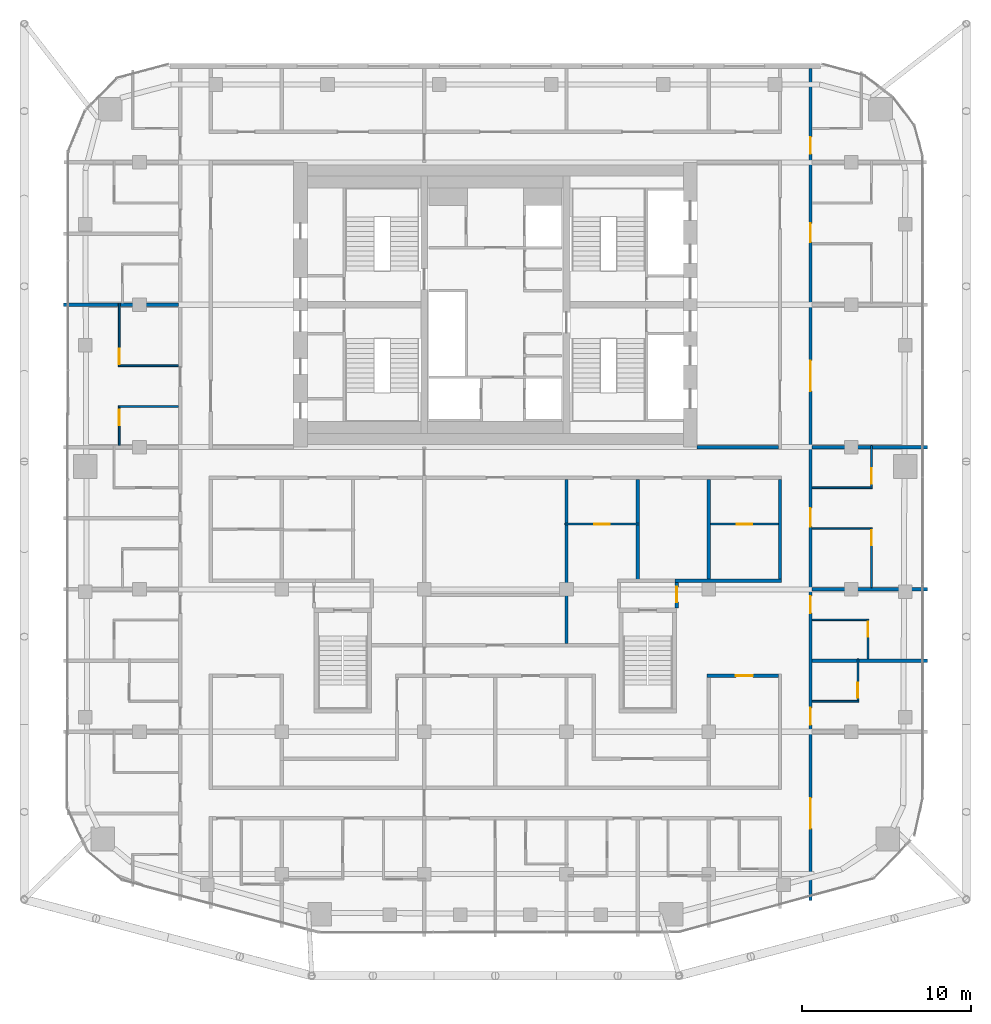
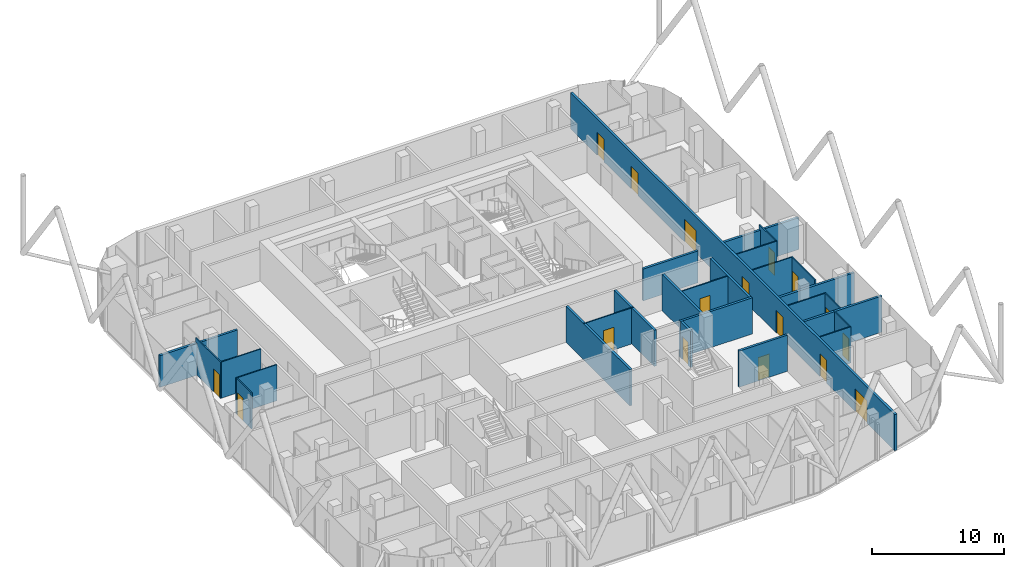
# One storey, part 23 of 28: 27 walls, 17 doors, 17 openings.
"""IFC4 building model written with IfcOpenShell, lengths in metres."""

from ifc_helpers import new_model, si_unit, direction, frame, frame_2d, origin, place, context, subcontext, project, spatial, rectangle, extrude, material, layer, layer_set, type_object, element, fill, save


model = new_model("IFC4")

# Units and contexts
model_context = context("Model", 3, precision=1e-05, world=origin(), true_north=direction((0.0, 1.0)))
body_context = subcontext(model_context, "Body", "Model", "MODEL_VIEW")
ifc_project = project(units=[si_unit("LENGTHUNIT", "METRE"), si_unit("AREAUNIT", "SQUARE_METRE"), si_unit("VOLUMEUNIT", "CUBIC_METRE"), si_unit("PLANEANGLEUNIT", "RADIAN"), si_unit("MASSUNIT", "GRAM", prefix="KILO")], contexts=[model_context])

# Site, building, storey
site_placement = place(None, origin())
site = spatial("IfcSite", under=ifc_project, at=site_placement, CompositionType="ELEMENT")
building_placement = place(site_placement, origin())
building = spatial("IfcBuilding", under=site, at=building_placement, Name="Marenta Gate Hotel Tower", CompositionType="ELEMENT")
storey_placement = place(building_placement, frame((0.0, 0.0, 227.300048828125)))
storey = spatial("IfcBuildingStorey", under=building, at=storey_placement, Name="L53", CompositionType="ELEMENT", Elevation=227.300048828125)

# Walls
ifc_material_1 = material(Name="Concrete blockwork", Category="masonry")
ifc_layer_1 = layer(ifc_material_1, 0.199951171875)
ifc_layer_set_1 = layer_set([ifc_layer_1], Name="Concrete blockwork")
wall_type_1 = type_object("IfcWallType", Name="Core boundary wall 200 REI 180", PredefinedType="PARTITIONING", material=ifc_layer_set_1)
wall_1_placement = place(storey_placement, frame((11.89990234375, 0.0, 0.0), z_axis=(0.0, 0.0, 1.0), x_axis=(1.0, 0.0, 0.0)))
element("IfcWall", 1, at=wall_1_placement, inside=storey, type_object=wall_type_1, Name="L53-CP-EW-ES", PredefinedType="PARTITIONING", context=body_context, shape_type="SweptSolid", body=[
    extrude(rectangle(XDim=4.800048828125, YDim=0.199951171875, at=frame_2d((2.39990234375, 0.0))), origin(), (0.0, 0.0, 1.0), 2.93994140625),
])
ifc_material_2 = material(Name="Concrete blockwork", Category="masonry")
ifc_layer_2 = layer(ifc_material_2, 0.199951171875)
ifc_layer_set_2 = layer_set([ifc_layer_2], Name="Concrete blockwork")
wall_type_2 = type_object("IfcWallType", Name="Room corridor wall 200 EI 120", PredefinedType="PARTITIONING", material=ifc_layer_set_2)
wall_2_placement = place(storey_placement, frame((16.800048828125, -7.800048828125, 0.0), z_axis=(0.0, 0.0, 1.0), x_axis=(0.0, 1.0, 0.0)))
element("IfcWall", 2, at=wall_2_placement, inside=storey, type_object=wall_type_2, Name="L53-PTN-W026", PredefinedType="PARTITIONING", context=body_context, shape_type="SweptSolid", body=[
    extrude(rectangle(XDim=5.900146484375, YDim=0.199951171875, at=frame_2d((2.9501953125, 0.0))), origin(), (0.0, 0.0, 1.0), 3.33984375),
])
wall_3_placement = place(storey_placement, frame((10.60009765625, -7.89990234375, 0.0), z_axis=(0.0, 0.0, 1.0), x_axis=(1.0, 0.0, 0.0)))
element("IfcWall", 3, at=wall_3_placement, inside=storey, type_object=wall_type_2, Name="L53-PTN-W054", PredefinedType="PARTITIONING", context=body_context, shape_type="SweptSolid", body=[
    extrude(rectangle(XDim=6.2998046875, YDim=0.199951171875, at=frame_2d((3.14990234375, 0.0))), origin(), (0.0, 0.0, 1.0), 3.33984375),
])

# Wall, openings, doors
ifc_material_3 = material(Name="Gypsum board on steel stud", Category="steel")
ifc_layer_3 = layer(ifc_material_3, 0.199951171875)
ifc_layer_set_3 = layer_set([ifc_layer_3], Name="Gypsum board on steel stud")
wall_type_3 = type_object("IfcWallType", Name="Room corridor wall 200 EI 60", PredefinedType="PARTITIONING", material=ifc_layer_set_3)
wall_4_placement = place(storey_placement, frame((18.60009765625, -26.7509765625, 0.0), z_axis=(0.0, 0.0, 1.0), x_axis=(0.0, 1.0, 0.0)))
wall_4 = element("IfcWall", 4, at=wall_4_placement, inside=storey, type_object=wall_type_3, Name="L53-PTN-W021", PredefinedType="PARTITIONING", context=body_context, shape_type="SweptSolid", body=[
    extrude(rectangle(XDim=49.091064453125, YDim=0.199951171875, at=frame_2d((24.54541015625, 0.0))), origin(), (0.0, 0.0, 1.0), 3.33984375),
])
opening_1_placement = place(wall_4_placement, frame((4.22607421875, 0.0, 0.0)))
opening_1 = element("IfcOpeningElement", 5, at=opening_1_placement, cuts=wall_4, Name="Opening G19-17", PredefinedType="OPENING", context=body_context, shape_type="SweptSolid", body=[
    extrude(rectangle(XDim=1.800048828125, YDim=2.10009765625, at=frame_2d((0.89990234375, 1.050048828125))), frame((0.0, 0.10009765625, 0.0), z_axis=(0.0, -1.0, 0.0), x_axis=(1.0, 0.0, 0.0)), (0.0, 0.0, 1.0), 0.199951171875),
])
opening_2_placement = place(wall_4_placement, frame((10.35107421875, 0.0, 0.0)))
opening_2 = element("IfcOpeningElement", 6, at=opening_2_placement, cuts=wall_4, Name="Opening G19-18", PredefinedType="OPENING", context=body_context, shape_type="SweptSolid", body=[
    extrude(rectangle(XDim=1.0, YDim=2.10009765625, at=frame_2d((0.5, 1.050048828125))), frame((0.0, 0.10009765625, 0.0), z_axis=(0.0, -1.0, 0.0), x_axis=(1.0, 0.0, 0.0)), (0.0, 0.0, 1.0), 0.199951171875),
])
opening_3_placement = place(wall_4_placement, frame((16.950927734375, 0.0, 0.0)))
opening_3 = element("IfcOpeningElement", 7, at=opening_3_placement, cuts=wall_4, Name="Opening G19-20", PredefinedType="OPENING", context=body_context, shape_type="SweptSolid", body=[
    extrude(rectangle(XDim=1.0, YDim=2.10009765625, at=frame_2d((0.5, 1.050048828125))), frame((0.0, 0.10009765625, 0.0), z_axis=(0.0, -1.0, 0.0), x_axis=(1.0, 0.0, 0.0)), (0.0, 0.0, 1.0), 0.199951171875),
])
opening_4_placement = place(wall_4_placement, frame((22.051025390625, 0.0, 0.0)))
opening_4 = element("IfcOpeningElement", 8, at=opening_4_placement, cuts=wall_4, Name="Opening G19-22", PredefinedType="OPENING", context=body_context, shape_type="SweptSolid", body=[
    extrude(rectangle(XDim=1.10009765625, YDim=2.10009765625, at=frame_2d((0.550048828125, 1.050048828125))), frame((0.0, 0.10009765625, 0.0), z_axis=(0.0, -1.0, 0.0), x_axis=(1.0, 0.0, 0.0)), (0.0, 0.0, 1.0), 0.199951171875),
])
opening_5_placement = place(wall_4_placement, frame((30.051025390625, 0.0, 0.0)))
opening_5 = element("IfcOpeningElement", 9, at=opening_5_placement, cuts=wall_4, Name="Opening G19-25", PredefinedType="OPENING", context=body_context, shape_type="SweptSolid", body=[
    extrude(rectangle(XDim=1.800048828125, YDim=2.10009765625, at=frame_2d((0.89990234375, 1.050048828125))), frame((0.0, 0.10009765625, 0.0), z_axis=(0.0, -1.0, 0.0), x_axis=(1.0, 0.0, 0.0)), (0.0, 0.0, 1.0), 0.199951171875),
])
opening_6_placement = place(wall_4_placement, frame((38.85107421875, 0.0, 0.0)))
opening_6 = element("IfcOpeningElement", 10, at=opening_6_placement, cuts=wall_4, Name="Opening G19-26", PredefinedType="OPENING", context=body_context, shape_type="SweptSolid", body=[
    extrude(rectangle(XDim=1.10009765625, YDim=2.10009765625, at=frame_2d((0.550048828125, 1.050048828125))), frame((0.0, 0.10009765625, 0.0), z_axis=(0.0, -1.0, 0.0), x_axis=(1.0, 0.0, 0.0)), (0.0, 0.0, 1.0), 0.199951171875),
])
opening_7_placement = place(wall_4_placement, frame((44.051025390625, 0.0, 0.0)))
opening_7 = element("IfcOpeningElement", 11, at=opening_7_placement, cuts=wall_4, Name="Opening G19-29", PredefinedType="OPENING", context=body_context, shape_type="SweptSolid", body=[
    extrude(rectangle(XDim=1.0, YDim=2.10009765625, at=frame_2d((0.5, 1.050048828125))), frame((0.0, 0.10009765625, 0.0), z_axis=(0.0, -1.0, 0.0), x_axis=(1.0, 0.0, 0.0)), (0.0, 0.0, 1.0), 0.199951171875),
])
ifc_material_4 = material(Name="Timber door leaf", Category="wood")
door_type_1 = type_object("IfcDoorType", Name="Guest room door 1000x2100 EI 30", OperationType="NOTDEFINED", PredefinedType="DOOR", material=ifc_material_4)
door_1_placement = place(opening_2_placement, origin())
door_1 = element("IfcDoor", 12, at=door_1_placement, inside=storey, type_object=door_type_1, Name="L53-PD-D018", OperationType="SINGLE_SWING_RIGHT", OverallHeight=2.10009765625, OverallWidth=1.0, PredefinedType="DOOR", context=body_context, shape_type="SweptSolid", body=[
    extrude(rectangle(XDim=1.0, YDim=2.10009765625, at=frame_2d((0.5, 1.050048828125))), frame((0.0, 0.02490234375, 0.0), z_axis=(0.0, -1.0, 0.0), x_axis=(1.0, 0.0, 0.0)), (0.0, 0.0, 1.0), 0.050048828125),
])
fill(opening_2, door_1)
door_2_placement = place(opening_3_placement, origin())
door_2 = element("IfcDoor", 13, at=door_2_placement, inside=storey, type_object=door_type_1, Name="L53-PD-D020", OperationType="SINGLE_SWING_RIGHT", OverallHeight=2.10009765625, OverallWidth=1.0, PredefinedType="DOOR", context=body_context, shape_type="SweptSolid", body=[
    extrude(rectangle(XDim=1.0, YDim=2.10009765625, at=frame_2d((0.5, 1.050048828125))), frame((0.0, 0.02490234375, 0.0), z_axis=(0.0, -1.0, 0.0), x_axis=(1.0, 0.0, 0.0)), (0.0, 0.0, 1.0), 0.050048828125),
])
fill(opening_3, door_2)
door_3_placement = place(opening_7_placement, origin())
door_3 = element("IfcDoor", 14, at=door_3_placement, inside=storey, type_object=door_type_1, Name="L53-PD-D029", OperationType="SINGLE_SWING_LEFT", OverallHeight=2.10009765625, OverallWidth=1.0, PredefinedType="DOOR", context=body_context, shape_type="SweptSolid", body=[
    extrude(rectangle(XDim=1.0, YDim=2.10009765625, at=frame_2d((0.5, 1.050048828125))), frame((0.0, 0.02490234375, 0.0), z_axis=(0.0, -1.0, 0.0), x_axis=(1.0, 0.0, 0.0)), (0.0, 0.0, 1.0), 0.050048828125),
])
fill(opening_7, door_3)
ifc_material_5 = material(Name="Timber door leaf", Category="wood")
door_type_2 = type_object("IfcDoorType", Name="Guest room door 1100x2100 EI 30", OperationType="NOTDEFINED", PredefinedType="DOOR", material=ifc_material_5)
door_4_placement = place(opening_4_placement, origin())
door_4 = element("IfcDoor", 15, at=door_4_placement, inside=storey, type_object=door_type_2, Name="L53-PD-D022", OperationType="SINGLE_SWING_RIGHT", OverallHeight=2.10009765625, OverallWidth=1.10009765625, PredefinedType="DOOR", context=body_context, shape_type="SweptSolid", body=[
    extrude(rectangle(XDim=1.10009765625, YDim=2.10009765625, at=frame_2d((0.550048828125, 1.050048828125))), frame((0.0, 0.02490234375, 0.0), z_axis=(0.0, -1.0, 0.0), x_axis=(1.0, 0.0, 0.0)), (0.0, 0.0, 1.0), 0.050048828125),
])
fill(opening_4, door_4)
door_5_placement = place(opening_6_placement, origin())
door_5 = element("IfcDoor", 16, at=door_5_placement, inside=storey, type_object=door_type_2, Name="L53-PD-D026", OperationType="SINGLE_SWING_RIGHT", OverallHeight=2.10009765625, OverallWidth=1.10009765625, PredefinedType="DOOR", context=body_context, shape_type="SweptSolid", body=[
    extrude(rectangle(XDim=1.10009765625, YDim=2.10009765625, at=frame_2d((0.550048828125, 1.050048828125))), frame((0.0, 0.02490234375, 0.0), z_axis=(0.0, -1.0, 0.0), x_axis=(1.0, 0.0, 0.0)), (0.0, 0.0, 1.0), 0.050048828125),
])
fill(opening_6, door_5)
ifc_material_6 = material(Name="Timber door leaf", Category="wood")
door_type_3 = type_object("IfcDoorType", Name="Room amenity door 1800x2100 EI 30", OperationType="DOUBLE_DOOR_SINGLE_SWING", PredefinedType="DOOR", material=ifc_material_6)
door_6_placement = place(opening_1_placement, origin())
door_6 = element("IfcDoor", 17, at=door_6_placement, inside=storey, type_object=door_type_3, Name="L53-PD-D017", OperationType="DOUBLE_DOOR_SINGLE_SWING", OverallHeight=2.10009765625, OverallWidth=1.800048828125, PredefinedType="DOOR", context=body_context, shape_type="SweptSolid", body=[
    extrude(rectangle(XDim=1.800048828125, YDim=2.10009765625, at=frame_2d((0.89990234375, 1.050048828125))), frame((0.0, 0.02490234375, 0.0), z_axis=(0.0, -1.0, 0.0), x_axis=(1.0, 0.0, 0.0)), (0.0, 0.0, 1.0), 0.050048828125),
])
fill(opening_1, door_6)
door_7_placement = place(opening_5_placement, origin())
door_7 = element("IfcDoor", 18, at=door_7_placement, inside=storey, type_object=door_type_3, Name="L53-PD-D025", OperationType="DOUBLE_DOOR_SINGLE_SWING", OverallHeight=2.10009765625, OverallWidth=1.800048828125, PredefinedType="DOOR", context=body_context, shape_type="SweptSolid", body=[
    extrude(rectangle(XDim=1.800048828125, YDim=2.10009765625, at=frame_2d((0.89990234375, 1.050048828125))), frame((0.0, 0.02490234375, 0.0), z_axis=(0.0, -1.0, 0.0), x_axis=(1.0, 0.0, 0.0)), (0.0, 0.0, 1.0), 0.050048828125),
])
fill(opening_5, door_7)

# Wall, opening, door
wall_5_placement = place(storey_placement, frame((12.5, -13.5, 0.0), z_axis=(0.0, 0.0, 1.0), x_axis=(1.0, 0.0, 0.0)))
wall_5 = element("IfcWall", 19, at=wall_5_placement, inside=storey, type_object=wall_type_3, Name="L53-PTN-W035", PredefinedType="PARTITIONING", context=body_context, shape_type="SweptSolid", body=[
    extrude(rectangle(XDim=4.199951171875, YDim=0.199951171875, at=frame_2d((2.10009765625, 0.0))), origin(), (0.0, 0.0, 1.0), 3.33984375),
])
opening_8_placement = place(wall_5_placement, frame((1.699951171875, 0.0, 0.0)))
opening_8 = element("IfcOpeningElement", 20, at=opening_8_placement, cuts=wall_5, Name="Opening G19-16", PredefinedType="OPENING", context=body_context, shape_type="SweptSolid", body=[
    extrude(rectangle(XDim=1.0, YDim=2.10009765625, at=frame_2d((0.5, 1.050048828125))), frame((0.0, 0.10009765625, 0.0), z_axis=(0.0, -1.0, 0.0), x_axis=(1.0, 0.0, 0.0)), (0.0, 0.0, 1.0), 0.199951171875),
])
ifc_material_7 = material(Name="Timber door leaf", Category="wood")
door_type_4 = type_object("IfcDoorType", Name="Room amenity door 1000x2100 EI 30", OperationType="NOTDEFINED", PredefinedType="DOOR", material=ifc_material_7)
door_8_placement = place(opening_8_placement, origin())
door_8 = element("IfcDoor", 21, at=door_8_placement, inside=storey, type_object=door_type_4, Name="L53-PD-D016", OperationType="SINGLE_SWING_RIGHT", OverallHeight=2.10009765625, OverallWidth=1.0, PredefinedType="DOOR", context=body_context, shape_type="SweptSolid", body=[
    extrude(rectangle(XDim=1.0, YDim=2.10009765625, at=frame_2d((0.5, 1.050048828125))), frame((0.0, 0.02490234375, 0.0), z_axis=(0.0, -1.0, 0.0), x_axis=(1.0, 0.0, 0.0)), (0.0, 0.0, 1.0), 0.050048828125),
])
fill(opening_8, door_8)

ifc_material_8 = material(Name="Concrete blockwork", Category="masonry")
ifc_layer_4 = layer(ifc_material_8, 0.199951171875)
ifc_layer_set_4 = layer_set([ifc_layer_4], Name="Concrete blockwork")
wall_type_4 = type_object("IfcWallType", Name="Room corridor wall 200 REI 180", PredefinedType="PARTITIONING", material=ifc_layer_set_4)
wall_6_placement = place(storey_placement, frame((10.699951171875, -9.5, 0.0), z_axis=(0.0, 0.0, 1.0), x_axis=(0.0, 1.0, 0.0)))
wall_6 = element("IfcWall", 22, at=wall_6_placement, inside=storey, type_object=wall_type_4, Name="L53-PTN-W044", PredefinedType="PARTITIONING", context=body_context, shape_type="SweptSolid", body=[
    extrude(rectangle(XDim=1.5, YDim=0.199951171875, at=frame_2d((0.75, 0.0))), origin(), (0.0, 0.0, 1.0), 3.33984375),
])
opening_9_placement = place(wall_6_placement, frame((0.35009765625, 0.0, 0.0)))
opening_9 = element("IfcOpeningElement", 23, at=opening_9_placement, cuts=wall_6, Name="Opening G19-72", PredefinedType="OPENING", context=body_context, shape_type="SweptSolid", body=[
    extrude(rectangle(XDim=0.89990234375, YDim=2.10009765625, at=frame_2d((0.449951171875, 1.050048828125))), frame((0.0, 0.10009765625, 0.0), z_axis=(0.0, -1.0, 0.0), x_axis=(1.0, 0.0, 0.0)), (0.0, 0.0, 1.0), 0.199951171875),
])
ifc_material_9 = material(Name="Hollow steel door set", Category="steel")
door_type_5 = type_object("IfcDoorType", Name="Stair vestibule door 900x2100 EI 60", OperationType="NOTDEFINED", PredefinedType="DOOR", material=ifc_material_9)
door_9_placement = place(opening_9_placement, origin())
door_9 = element("IfcDoor", 24, at=door_9_placement, inside=storey, type_object=door_type_5, Name="L53-PD-D072", OperationType="SINGLE_SWING_RIGHT", OverallHeight=2.10009765625, OverallWidth=0.89990234375, PredefinedType="DOOR", context=body_context, shape_type="SweptSolid", body=[
    extrude(rectangle(XDim=0.89990234375, YDim=2.10009765625, at=frame_2d((0.449951171875, 1.050048828125))), frame((0.0, 0.02490234375, 0.0), z_axis=(0.0, -1.0, 0.0), x_axis=(1.0, 0.0, 0.0)), (0.0, 0.0, 1.0), 0.050048828125),
])
fill(opening_9, door_9)

ifc_material_10 = material(Name="Gypsum board on steel stud", Category="steel")
ifc_layer_5 = layer(ifc_material_10, 0.10009765625)
ifc_layer_set_5 = layer_set([ifc_layer_5], Name="Gypsum board on steel stud")
wall_type_5 = type_object("IfcWallType", Name="Room partition 100", PredefinedType="PARTITIONING", material=ifc_layer_set_5)
wall_7_placement = place(storey_placement, frame((22.199951171875, -8.300048828125, 0.0), z_axis=(0.0, 0.0, 1.0), x_axis=(0.0, 1.0, 0.0)))
wall_7 = element("IfcWall", 25, at=wall_7_placement, inside=storey, type_object=wall_type_5, Name="L53-PTN-W010", PredefinedType="PARTITIONING", context=body_context, shape_type="SweptSolid", body=[
    extrude(rectangle(XDim=3.550048828125, YDim=0.10009765625, at=frame_2d((1.77490234375, 0.0))), origin(), (0.0, 0.0, 1.0), 3.33984375),
])
opening_10_placement = place(wall_7_placement, frame((2.5, 0.0, 0.0)))
opening_10 = element("IfcOpeningElement", 26, at=opening_10_placement, cuts=wall_7, Name="Opening G19-23", PredefinedType="OPENING", context=body_context, shape_type="SweptSolid", body=[
    extrude(rectangle(XDim=0.89990234375, YDim=2.10009765625, at=frame_2d((0.449951171875, 1.050048828125))), frame((0.0, 0.050048828125, 0.0), z_axis=(0.0, -1.0, 0.0), x_axis=(1.0, 0.0, 0.0)), (0.0, 0.0, 1.0), 0.10009765625),
])
ifc_material_11 = material(Name="Timber door leaf", Category="wood")
door_type_6 = type_object("IfcDoorType", Name="Guest bathroom door 900x2100", OperationType="NOTDEFINED", PredefinedType="DOOR", material=ifc_material_11)
door_10_placement = place(opening_10_placement, origin())
door_10 = element("IfcDoor", 27, at=door_10_placement, inside=storey, type_object=door_type_6, Name="L53-PD-D023", OperationType="SINGLE_SWING_RIGHT", OverallHeight=2.10009765625, OverallWidth=0.89990234375, PredefinedType="DOOR", context=body_context, shape_type="SweptSolid", body=[
    extrude(rectangle(XDim=0.89990234375, YDim=2.10009765625, at=frame_2d((0.449951171875, 1.050048828125))), frame((0.0, 0.02490234375, 0.0), z_axis=(0.0, -1.0, 0.0), x_axis=(1.0, 0.0, 0.0)), (0.0, 0.0, 1.0), 0.050048828125),
])
fill(opening_10, door_10)

wall_8_placement = place(storey_placement, frame((22.199951171875, -2.35009765625, 0.0), z_axis=(0.0, 0.0, 1.0), x_axis=(0.0, 1.0, 0.0)))
wall_8 = element("IfcWall", 28, at=wall_8_placement, inside=storey, type_object=wall_type_5, Name="L53-PTN-W011", PredefinedType="PARTITIONING", context=body_context, shape_type="SweptSolid", body=[
    extrude(rectangle(XDim=2.4501953125, YDim=0.10009765625, at=frame_2d((1.22509765625, 0.0))), origin(), (0.0, 0.0, 1.0), 3.33984375),
])
opening_11_placement = place(wall_8_placement, frame((0.199951171875, 0.0, 0.0)))
opening_11 = element("IfcOpeningElement", 29, at=opening_11_placement, cuts=wall_8, Name="Opening G19-24", PredefinedType="OPENING", context=body_context, shape_type="SweptSolid", body=[
    extrude(rectangle(XDim=0.89990234375, YDim=2.10009765625, at=frame_2d((0.449951171875, 1.050048828125))), frame((0.0, 0.050048828125, 0.0), z_axis=(0.0, -1.0, 0.0), x_axis=(1.0, 0.0, 0.0)), (0.0, 0.0, 1.0), 0.10009765625),
])
ifc_material_12 = material(Name="Timber door leaf", Category="wood")
door_type_7 = type_object("IfcDoorType", Name="Room inner door 900x2100", OperationType="NOTDEFINED", PredefinedType="DOOR", material=ifc_material_12)
door_11_placement = place(opening_11_placement, origin())
door_11 = element("IfcDoor", 30, at=door_11_placement, inside=storey, type_object=door_type_7, Name="L53-PD-D024", OperationType="SINGLE_SWING_LEFT", OverallHeight=2.10009765625, OverallWidth=0.89990234375, PredefinedType="DOOR", context=body_context, shape_type="SweptSolid", body=[
    extrude(rectangle(XDim=0.89990234375, YDim=2.10009765625, at=frame_2d((0.449951171875, 1.050048828125))), frame((0.0, 0.02490234375, 0.0), z_axis=(0.0, -1.0, 0.0), x_axis=(1.0, 0.0, 0.0)), (0.0, 0.0, 1.0), 0.050048828125),
])
fill(opening_11, door_11)

wall_9_placement = place(storey_placement, frame((22.0, -12.5, 0.0), z_axis=(0.0, 0.0, 1.0), x_axis=(0.0, 1.0, 0.0)))
wall_9 = element("IfcWall", 31, at=wall_9_placement, inside=storey, type_object=wall_type_5, Name="L53-PTN-W014", PredefinedType="PARTITIONING", context=body_context, shape_type="SweptSolid", body=[
    extrude(rectangle(XDim=2.35009765625, YDim=0.10009765625, at=frame_2d((1.175048828125, 0.0))), origin(), (0.0, 0.0, 1.0), 3.33984375),
])
opening_12_placement = place(wall_9_placement, frame((1.300048828125, 0.0, 0.0)))
opening_12 = element("IfcOpeningElement", 32, at=opening_12_placement, cuts=wall_9, Name="Opening G19-21", PredefinedType="OPENING", context=body_context, shape_type="SweptSolid", body=[
    extrude(rectangle(XDim=0.89990234375, YDim=2.10009765625, at=frame_2d((0.449951171875, 1.050048828125))), frame((0.0, 0.050048828125, 0.0), z_axis=(0.0, -1.0, 0.0), x_axis=(1.0, 0.0, 0.0)), (0.0, 0.0, 1.0), 0.10009765625),
])
door_12_placement = place(opening_12_placement, origin())
door_12 = element("IfcDoor", 33, at=door_12_placement, inside=storey, type_object=door_type_6, Name="L53-PD-D021", OperationType="SINGLE_SWING_RIGHT", OverallHeight=2.10009765625, OverallWidth=0.89990234375, PredefinedType="DOOR", context=body_context, shape_type="SweptSolid", body=[
    extrude(rectangle(XDim=0.89990234375, YDim=2.10009765625, at=frame_2d((0.449951171875, 1.050048828125))), frame((0.0, 0.02490234375, 0.0), z_axis=(0.0, -1.0, 0.0), x_axis=(1.0, 0.0, 0.0)), (0.0, 0.0, 1.0), 0.050048828125),
])
fill(opening_12, door_12)

wall_10_placement = place(storey_placement, frame((21.39990234375, -14.949951171875, 0.0), z_axis=(0.0, 0.0, 1.0), x_axis=(0.0, 1.0, 0.0)))
wall_10 = element("IfcWall", 34, at=wall_10_placement, inside=storey, type_object=wall_type_5, Name="L53-PTN-W018", PredefinedType="PARTITIONING", context=body_context, shape_type="SweptSolid", body=[
    extrude(rectangle(XDim=2.449951171875, YDim=0.10009765625, at=frame_2d((1.22509765625, 0.0))), origin(), (0.0, 0.0, 1.0), 3.33984375),
])
opening_13_placement = place(wall_10_placement, frame((0.14990234375, 0.0, 0.0)))
opening_13 = element("IfcOpeningElement", 35, at=opening_13_placement, cuts=wall_10, Name="Opening G19-19", PredefinedType="OPENING", context=body_context, shape_type="SweptSolid", body=[
    extrude(rectangle(XDim=0.89990234375, YDim=2.10009765625, at=frame_2d((0.449951171875, 1.050048828125))), frame((0.0, 0.050048828125, 0.0), z_axis=(0.0, -1.0, 0.0), x_axis=(1.0, 0.0, 0.0)), (0.0, 0.0, 1.0), 0.10009765625),
])
door_13_placement = place(opening_13_placement, origin())
door_13 = element("IfcDoor", 36, at=door_13_placement, inside=storey, type_object=door_type_6, Name="L53-PD-D019", OperationType="SINGLE_SWING_LEFT", OverallHeight=2.10009765625, OverallWidth=0.89990234375, PredefinedType="DOOR", context=body_context, shape_type="SweptSolid", body=[
    extrude(rectangle(XDim=0.89990234375, YDim=2.10009765625, at=frame_2d((0.449951171875, 1.050048828125))), frame((0.0, 0.02490234375, 0.0), z_axis=(0.0, -1.0, 0.0), x_axis=(1.0, 0.0, 0.0)), (0.0, 0.0, 1.0), 0.050048828125),
])
fill(opening_13, door_13)

# Walls
wall_11_placement = place(storey_placement, frame((18.699951171875, -15.0, 0.0), z_axis=(0.0, 0.0, 1.0), x_axis=(1.0, 0.0, 0.0)))
element("IfcWall", 37, at=wall_11_placement, inside=storey, type_object=wall_type_5, Name="L53-PTN-W031", PredefinedType="PARTITIONING", context=body_context, shape_type="SweptSolid", body=[
    extrude(rectangle(XDim=2.75, YDim=0.10009765625, at=frame_2d((1.375, 0.0))), origin(), (0.0, 0.0, 1.0), 3.33984375),
])
wall_12_placement = place(storey_placement, frame((18.699951171875, -10.199951171875, 0.0), z_axis=(0.0, 0.0, 1.0), x_axis=(1.0, 0.0, 0.0)))
element("IfcWall", 38, at=wall_12_placement, inside=storey, type_object=wall_type_5, Name="L53-PTN-W047", PredefinedType="PARTITIONING", context=body_context, shape_type="SweptSolid", body=[
    extrude(rectangle(XDim=3.25, YDim=0.10009765625, at=frame_2d((1.625, 0.0))), origin(), (0.0, 0.0, 1.0), 3.33984375),
])
wall_13_placement = place(storey_placement, frame((18.699951171875, -4.800048828125, 0.0), z_axis=(0.0, 0.0, 1.0), x_axis=(1.0, 0.0, 0.0)))
element("IfcWall", 39, at=wall_13_placement, inside=storey, type_object=wall_type_5, Name="L53-PTN-W063", PredefinedType="PARTITIONING", context=body_context, shape_type="SweptSolid", body=[
    extrude(rectangle(XDim=3.449951171875, YDim=0.10009765625, at=frame_2d((1.72509765625, 0.0))), origin(), (0.0, 0.0, 1.0), 3.33984375),
])

# Wall, opening, door
wall_14_placement = place(storey_placement, frame((4.10009765625, -4.544921875, 0.0), z_axis=(0.0, 0.0, 1.0), x_axis=(1.0, 0.0, 0.0)))
wall_14 = element("IfcWall", 40, at=wall_14_placement, inside=storey, type_object=wall_type_5, Name="L53-PTN-W064", PredefinedType="PARTITIONING", context=body_context, shape_type="SweptSolid", body=[
    extrude(rectangle(XDim=4.39990234375, YDim=0.10009765625, at=frame_2d((2.199951171875, 0.0))), origin(), (0.0, 0.0, 1.0), 3.33984375),
])
opening_14_placement = place(wall_14_placement, frame((1.75, 0.0, 0.0)))
opening_14 = element("IfcOpeningElement", 41, at=opening_14_placement, cuts=wall_14, Name="Opening G19-07", PredefinedType="OPENING", context=body_context, shape_type="SweptSolid", body=[
    extrude(rectangle(XDim=0.89990234375, YDim=2.10009765625, at=frame_2d((0.449951171875, 1.050048828125))), frame((0.0, 0.050048828125, 0.0), z_axis=(0.0, -1.0, 0.0), x_axis=(1.0, 0.0, 0.0)), (0.0, 0.0, 1.0), 0.10009765625),
])
door_14_placement = place(opening_14_placement, origin())
door_14 = element("IfcDoor", 42, at=door_14_placement, inside=storey, type_object=door_type_7, Name="L53-PD-D007", OperationType="SINGLE_SWING_LEFT", OverallHeight=2.10009765625, OverallWidth=0.89990234375, PredefinedType="DOOR", context=body_context, shape_type="SweptSolid", body=[
    extrude(rectangle(XDim=0.89990234375, YDim=2.10009765625, at=frame_2d((0.449951171875, 1.050048828125))), frame((0.0, 0.02490234375, 0.0), z_axis=(0.0, -1.0, 0.0), x_axis=(1.0, 0.0, 0.0)), (0.0, 0.0, 1.0), 0.050048828125),
])
fill(opening_14, door_14)

wall_15_placement = place(storey_placement, frame((12.699951171875, -4.544921875, 0.0), z_axis=(0.0, 0.0, 1.0), x_axis=(1.0, 0.0, 0.0)))
wall_15 = element("IfcWall", 43, at=wall_15_placement, inside=storey, type_object=wall_type_5, Name="L53-PTN-W065", PredefinedType="PARTITIONING", context=body_context, shape_type="SweptSolid", body=[
    extrude(rectangle(XDim=4.0, YDim=0.10009765625, at=frame_2d((2.0, 0.0))), origin(), (0.0, 0.0, 1.0), 3.33984375),
])
opening_15_placement = place(wall_15_placement, frame((1.550048828125, 0.0, 0.0)))
opening_15 = element("IfcOpeningElement", 44, at=opening_15_placement, cuts=wall_15, Name="Opening G19-10", PredefinedType="OPENING", context=body_context, shape_type="SweptSolid", body=[
    extrude(rectangle(XDim=0.89990234375, YDim=2.10009765625, at=frame_2d((0.449951171875, 1.050048828125))), frame((0.0, 0.050048828125, 0.0), z_axis=(0.0, -1.0, 0.0), x_axis=(1.0, 0.0, 0.0)), (0.0, 0.0, 1.0), 0.10009765625),
])
door_15_placement = place(opening_15_placement, origin())
door_15 = element("IfcDoor", 45, at=door_15_placement, inside=storey, type_object=door_type_7, Name="L53-PD-D010", OperationType="SINGLE_SWING_RIGHT", OverallHeight=2.10009765625, OverallWidth=0.89990234375, PredefinedType="DOOR", context=body_context, shape_type="SweptSolid", body=[
    extrude(rectangle(XDim=0.89990234375, YDim=2.10009765625, at=frame_2d((0.449951171875, 1.050048828125))), frame((0.0, 0.02490234375, 0.0), z_axis=(0.0, -1.0, 0.0), x_axis=(1.0, 0.0, 0.0)), (0.0, 0.0, 1.0), 0.050048828125),
])
fill(opening_15, door_15)

# Walls
for number, where, z_axis, x_axis, name in (
    (46, (18.699951171875, -2.39990234375, 0.0), (0.0, 0.0, 1.0), (1.0, 0.0, 0.0), "L53-PTN-W072"),
    (47, (-22.25, 2.39990234375, 0.0), (0.0, 0.0, 1.0), (1.0, 0.0, 0.0), "L53-PTN-W079"),
):
    element("IfcWall", number, at=place(storey_placement, frame(where, z_axis=z_axis, x_axis=x_axis)), inside=storey, type_object=wall_type_5, Name=name, PredefinedType="PARTITIONING", context=body_context, shape_type="SweptSolid", body=[
        extrude(rectangle(XDim=3.550048828125, YDim=0.10009765625, at=frame_2d((1.77490234375, 0.0))), origin(), (0.0, 0.0, 1.0), 3.33984375),
    ])
wall_16_placement = place(storey_placement, frame((-22.14990234375, 4.800048828125, 0.0), z_axis=(0.0, 0.0, 1.0), x_axis=(1.0, 0.0, 0.0)))
element("IfcWall", 48, at=wall_16_placement, inside=storey, type_object=wall_type_5, Name="L53-PTN-W084", PredefinedType="PARTITIONING", context=body_context, shape_type="SweptSolid", body=[
    extrude(rectangle(XDim=3.449951171875, YDim=0.10009765625, at=frame_2d((1.72509765625, 0.0))), origin(), (0.0, 0.0, 1.0), 3.33984375),
])

# Wall, opening, door
wall_17_placement = place(storey_placement, frame((-22.199951171875, 0.10009765625, 0.0), z_axis=(0.0, 0.0, 1.0), x_axis=(0.0, 1.0, 0.0)))
wall_17 = element("IfcWall", 49, at=wall_17_placement, inside=storey, type_object=wall_type_5, Name="L53-PTN-W119", PredefinedType="PARTITIONING", context=body_context, shape_type="SweptSolid", body=[
    extrude(rectangle(XDim=2.25, YDim=0.10009765625, at=frame_2d((1.125, 0.0))), origin(), (0.0, 0.0, 1.0), 3.33984375),
])
opening_16_placement = place(wall_17_placement, frame((1.199951171875, 0.0, 0.0)))
opening_16 = element("IfcOpeningElement", 50, at=opening_16_placement, cuts=wall_17, Name="Opening G19-64", PredefinedType="OPENING", context=body_context, shape_type="SweptSolid", body=[
    extrude(rectangle(XDim=0.89990234375, YDim=2.10009765625, at=frame_2d((0.449951171875, 1.050048828125))), frame((0.0, 0.050048828125, 0.0), z_axis=(0.0, -1.0, 0.0), x_axis=(1.0, 0.0, 0.0)), (0.0, 0.0, 1.0), 0.10009765625),
])
door_16_placement = place(opening_16_placement, origin())
door_16 = element("IfcDoor", 51, at=door_16_placement, inside=storey, type_object=door_type_7, Name="L53-PD-D064", OperationType="SINGLE_SWING_LEFT", OverallHeight=2.10009765625, OverallWidth=0.89990234375, PredefinedType="DOOR", context=body_context, shape_type="SweptSolid", body=[
    extrude(rectangle(XDim=0.89990234375, YDim=2.10009765625, at=frame_2d((0.449951171875, 1.050048828125))), frame((0.0, 0.02490234375, 0.0), z_axis=(0.0, -1.0, 0.0), x_axis=(1.0, 0.0, 0.0)), (0.0, 0.0, 1.0), 0.050048828125),
])
fill(opening_16, door_16)

wall_18_placement = place(storey_placement, frame((-22.199951171875, 4.75, 0.0), z_axis=(0.0, 0.0, 1.0), x_axis=(0.0, 1.0, 0.0)))
wall_18 = element("IfcWall", 52, at=wall_18_placement, inside=storey, type_object=wall_type_5, Name="L53-PTN-W120", PredefinedType="PARTITIONING", context=body_context, shape_type="SweptSolid", body=[
    extrude(rectangle(XDim=3.75, YDim=0.10009765625, at=frame_2d((1.875, 0.0))), origin(), (0.0, 0.0, 1.0), 3.33984375),
])
opening_17_placement = place(wall_18_placement, frame((0.14990234375, 0.0, 0.0)))
opening_17 = element("IfcOpeningElement", 53, at=opening_17_placement, cuts=wall_18, Name="Opening G19-63", PredefinedType="OPENING", context=body_context, shape_type="SweptSolid", body=[
    extrude(rectangle(XDim=0.89990234375, YDim=2.10009765625, at=frame_2d((0.449951171875, 1.050048828125))), frame((0.0, 0.050048828125, 0.0), z_axis=(0.0, -1.0, 0.0), x_axis=(1.0, 0.0, 0.0)), (0.0, 0.0, 1.0), 0.10009765625),
])
door_17_placement = place(opening_17_placement, origin())
door_17 = element("IfcDoor", 54, at=door_17_placement, inside=storey, type_object=door_type_6, Name="L53-PD-D063", OperationType="SINGLE_SWING_RIGHT", OverallHeight=2.10009765625, OverallWidth=0.89990234375, PredefinedType="DOOR", context=body_context, shape_type="SweptSolid", body=[
    extrude(rectangle(XDim=0.89990234375, YDim=2.10009765625, at=frame_2d((0.449951171875, 1.050048828125))), frame((0.0, 0.02490234375, 0.0), z_axis=(0.0, -1.0, 0.0), x_axis=(1.0, 0.0, 0.0)), (0.0, 0.0, 1.0), 0.050048828125),
])
fill(opening_17, door_17)

# Walls
ifc_material_13 = material(Name="Concrete blockwork", Category="masonry")
ifc_layer_6 = layer(ifc_material_13, 0.199951171875)
ifc_layer_set_6 = layer_set([ifc_layer_6], Name="Concrete blockwork")
wall_type_6 = type_object("IfcWallType", Name="Room party wall 200 EI 120", PredefinedType="PARTITIONING", material=ifc_layer_set_6)
wall_19_placement = place(storey_placement, frame((12.60009765625, -7.800048828125, 0.0), z_axis=(0.0, 0.0, 1.0), x_axis=(0.0, 1.0, 0.0)))
element("IfcWall", 55, at=wall_19_placement, inside=storey, type_object=wall_type_6, Name="L53-PTN-W038", PredefinedType="PARTITIONING", context=body_context, shape_type="SweptSolid", body=[
    extrude(rectangle(XDim=5.900146484375, YDim=0.199951171875, at=frame_2d((2.9501953125, 0.0))), origin(), (0.0, 0.0, 1.0), 3.33984375),
])
wall_20_placement = place(storey_placement, frame((8.39990234375, -8.0, 0.0), z_axis=(0.0, 0.0, 1.0), x_axis=(0.0, 1.0, 0.0)))
element("IfcWall", 56, at=wall_20_placement, inside=storey, type_object=wall_type_6, Name="L53-PTN-W050", PredefinedType="PARTITIONING", context=body_context, shape_type="SweptSolid", body=[
    extrude(rectangle(XDim=6.10009765625, YDim=0.199951171875, at=frame_2d((3.050048828125, 0.0))), origin(), (0.0, 0.0, 1.0), 3.33984375),
])
wall_21_placement = place(storey_placement, frame((4.199951171875, -11.60009765625, 0.0), z_axis=(0.0, 0.0, 1.0), x_axis=(0.0, 1.0, 0.0)))
element("IfcWall", 57, at=wall_21_placement, inside=storey, type_object=wall_type_6, Name="L53-PTN-W068", PredefinedType="PARTITIONING", context=body_context, shape_type="SweptSolid", body=[
    extrude(rectangle(XDim=9.7001953125, YDim=0.199951171875, at=frame_2d((4.85009765625, 0.0))), origin(), (0.0, 0.0, 1.0), 3.33984375),
])
ifc_material_14 = material(Name="Gypsum board on steel stud", Category="steel")
ifc_layer_7 = layer(ifc_material_14, 0.199951171875)
ifc_layer_set_7 = layer_set([ifc_layer_7], Name="Gypsum board on steel stud")
wall_type_7 = type_object("IfcWallType", Name="Room party wall 200 EI 60", PredefinedType="PARTITIONING", material=ifc_layer_set_7)
wall_22_placement = place(storey_placement, frame((18.699951171875, -12.60009765625, 0.0), z_axis=(0.0, 0.0, 1.0), x_axis=(1.0, 0.0, 0.0)))
element("IfcWall", 58, at=wall_22_placement, inside=storey, type_object=wall_type_7, Name="L53-PTN-W042", PredefinedType="PARTITIONING", context=body_context, shape_type="SweptSolid", body=[
    extrude(rectangle(XDim=6.800048828125, YDim=0.199951171875, at=frame_2d((3.39990234375, 0.0))), origin(), (0.0, 0.0, 1.0), 3.33984375),
])
for number, where, z_axis, x_axis, name in (
    (59, (18.699951171875, -8.39990234375, 0.0), (0.0, 0.0, 1.0), (1.0, 0.0, 0.0), "L53-PTN-W052"),
    (60, (18.699951171875, 0.0, 0.0), (0.0, 0.0, 1.0), (1.0, 0.0, 0.0), "L53-PTN-W078"),
    (61, (-25.5, 8.39990234375, 0.0), (0.0, 0.0, 1.0), (1.0, 0.0, 0.0), "L53-PTN-W089"),
):
    element("IfcWall", number, at=place(storey_placement, frame(where, z_axis=z_axis, x_axis=x_axis)), inside=storey, type_object=wall_type_7, Name=name, PredefinedType="PARTITIONING", context=body_context, shape_type="SweptSolid", body=[
        extrude(rectangle(XDim=6.800048828125, YDim=0.199951171875, at=frame_2d((3.39990234375, 0.0))), origin(), (0.0, 0.0, 1.0), 2.93994140625),
    ])

save(model, "model.ifc")
